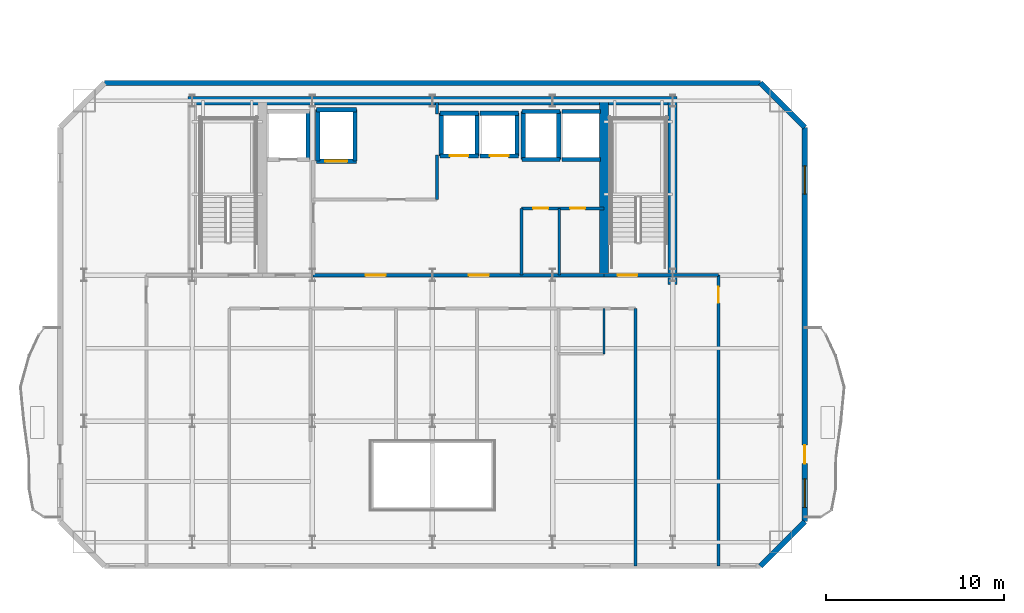
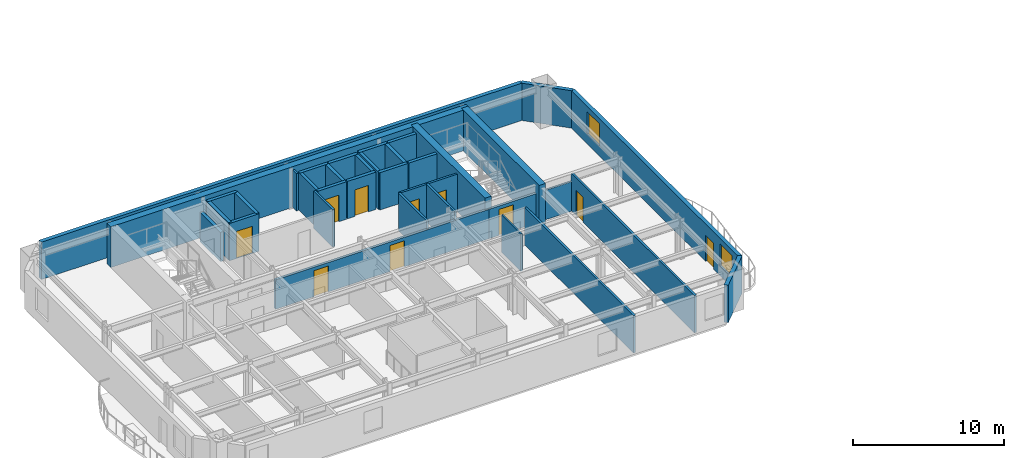
# One storey, part 6 of 13: 36 walls, 10 doors, 2 windows, 12 openings.
"""IFC4 building model written with IfcOpenShell, lengths in metres."""

from ifc_helpers import new_model, si_unit, direction, frame, frame_2d, origin, place, context, subcontext, project, spatial, rectangle, extrude, material, layer, layer_set, type_object, element, fill, save


model = new_model("IFC4")

# Units and contexts
model_context = context("Model", 3, precision=1e-05, world=origin(), true_north=direction((0.0, 1.0)))
body_context = subcontext(model_context, "Body", "Model", "MODEL_VIEW")
ifc_project = project(units=[si_unit("LENGTHUNIT", "METRE"), si_unit("AREAUNIT", "SQUARE_METRE"), si_unit("VOLUMEUNIT", "CUBIC_METRE"), si_unit("PLANEANGLEUNIT", "RADIAN"), si_unit("MASSUNIT", "GRAM", prefix="KILO")], contexts=[model_context])

# Site, building, storey
site_placement = place(None, origin())
site = spatial("IfcSite", under=ifc_project, at=site_placement, CompositionType="ELEMENT")
building_placement = place(site_placement, origin())
building = spatial("IfcBuilding", under=site, at=building_placement, Name="Haevon Station Towers", CompositionType="ELEMENT")
storey_placement = place(building_placement, frame((0.0, 0.0, 162.60009765625)))
storey = spatial("IfcBuildingStorey", under=building, at=storey_placement, Name="L44", CompositionType="ELEMENT", Elevation=162.60009765625)

# Wall, opening, door
ifc_material_1 = material(Name="Gypsum board on steel stud", Category="steel")
ifc_layer_1 = layer(ifc_material_1, 0.199951171875)
ifc_layer_set_1 = layer_set([ifc_layer_1], Name="Gypsum board on steel stud")
wall_type_1 = type_object("IfcWallType", Name="WL-COR200", PredefinedType="PARTITIONING", material=ifc_layer_set_1)
wall_1_placement = place(storey_placement, frame((47.14990234375, 38.199951171875, 0.0), z_axis=(0.0, 0.0, 1.0), x_axis=(1.0, 0.0, 0.0)))
wall_1 = element("IfcWall", 1, at=wall_1_placement, inside=storey, type_object=wall_type_1, Name="WL-ST-ST2-L44", PredefinedType="PARTITIONING", context=body_context, shape_type="SweptSolid", body=[
    extrude(rectangle(XDim=3.85009765625, YDim=0.199951171875, at=frame_2d((1.925048828125, 0.0))), origin(), (0.0, 0.0, 1.0), 2.3798828125),
])
opening_1_placement = place(wall_1_placement, frame((0.75, 0.0, 0.0)))
opening_1 = element("IfcOpeningElement", 2, at=opening_1_placement, cuts=wall_1, Name="Opening DR-ST-ST2-L44", PredefinedType="OPENING", context=body_context, shape_type="SweptSolid", body=[
    extrude(rectangle(XDim=1.1201171875, YDim=2.10009765625, at=frame_2d((0.56005859375, 1.050048828125))), frame((0.0, 0.10986328125, 0.0), z_axis=(0.0, -1.0, 0.0), x_axis=(1.0, 0.0, 0.0)), (0.0, 0.0, 1.0), 0.219970703125),
])
ifc_material_2 = material(Name="Engineered oak timber", Category="wood")
door_type_1 = type_object("IfcDoorType", Name="DR-ST-1120", OperationType="NOTDEFINED", PredefinedType="DOOR", material=ifc_material_2)
door_1_placement = place(opening_1_placement, origin())
door_1 = element("IfcDoor", 3, at=door_1_placement, inside=storey, type_object=door_type_1, Name="L44 Escape Stair ST2 Fire Door", OperationType="SINGLE_SWING_LEFT", OverallHeight=2.10009765625, OverallWidth=1.1201171875, PredefinedType="DOOR", context=body_context, shape_type="SweptSolid", body=[
    extrude(rectangle(XDim=1.1201171875, YDim=2.10009765625, at=frame_2d((0.56005859375, 1.050048828125))), frame((0.0, 0.02490234375, 0.0), z_axis=(0.0, -1.0, 0.0), x_axis=(1.0, 0.0, 0.0)), (0.0, 0.0, 1.0), 0.050048828125),
])
fill(opening_1, door_1)

# Wall, openings, doors
wall_2_placement = place(storey_placement, frame((30.800048828125, 38.199951171875, 0.0), z_axis=(0.0, 0.0, 1.0), x_axis=(1.0, 0.0, 0.0)))
wall_2 = element("IfcWall", 4, at=wall_2_placement, inside=storey, type_object=wall_type_1, Name="WL-T1CLB-L44", PredefinedType="PARTITIONING", context=body_context, shape_type="SweptSolid", body=[
    extrude(rectangle(XDim=16.349853515625, YDim=0.199951171875, at=frame_2d((8.1748046875, 0.0))), origin(), (0.0, 0.0, 1.0), 2.3798828125),
])
opening_2_placement = place(wall_2_placement, frame((2.949951171875, 0.0, 0.0)))
opening_2 = element("IfcOpeningElement", 5, at=opening_2_placement, cuts=wall_2, Name="Opening DR-T1CLB-L44-1", PredefinedType="OPENING", context=body_context, shape_type="SweptSolid", body=[
    extrude(rectangle(XDim=1.1201171875, YDim=2.10009765625, at=frame_2d((0.56005859375, 1.050048828125))), frame((0.0, 0.10986328125, 0.0), z_axis=(0.0, -1.0, 0.0), x_axis=(1.0, 0.0, 0.0)), (0.0, 0.0, 1.0), 0.219970703125),
])
opening_3_placement = place(wall_2_placement, frame((8.75, 0.0, 0.0)))
opening_3 = element("IfcOpeningElement", 6, at=opening_3_placement, cuts=wall_2, Name="Opening DR-T1CLB-L44-2", PredefinedType="OPENING", context=body_context, shape_type="SweptSolid", body=[
    extrude(rectangle(XDim=1.1201171875, YDim=2.10009765625, at=frame_2d((0.56005859375, 1.050048828125))), frame((0.0, 0.10986328125, 0.0), z_axis=(0.0, -1.0, 0.0), x_axis=(1.0, 0.0, 0.0)), (0.0, 0.0, 1.0), 0.219970703125),
])
door_2_placement = place(opening_2_placement, origin())
door_2 = element("IfcDoor", 7, at=door_2_placement, inside=storey, type_object=door_type_1, Name="L44 Tower 1 Core Lift Lobby Door 1", OperationType="SINGLE_SWING_RIGHT", OverallHeight=2.10009765625, OverallWidth=1.1201171875, PredefinedType="DOOR", context=body_context, shape_type="SweptSolid", body=[
    extrude(rectangle(XDim=1.1201171875, YDim=2.10009765625, at=frame_2d((0.56005859375, 1.050048828125))), frame((0.0, 0.02490234375, 0.0), z_axis=(0.0, -1.0, 0.0), x_axis=(1.0, 0.0, 0.0)), (0.0, 0.0, 1.0), 0.050048828125),
])
fill(opening_2, door_2)
door_3_placement = place(opening_3_placement, origin())
door_3 = element("IfcDoor", 8, at=door_3_placement, inside=storey, type_object=door_type_1, Name="L44 Tower 1 Core Lift Lobby Door 2", OperationType="SINGLE_SWING_LEFT", OverallHeight=2.10009765625, OverallWidth=1.1201171875, PredefinedType="DOOR", context=body_context, shape_type="SweptSolid", body=[
    extrude(rectangle(XDim=1.1201171875, YDim=2.10009765625, at=frame_2d((0.56005859375, 1.050048828125))), frame((0.0, 0.02490234375, 0.0), z_axis=(0.0, -1.0, 0.0), x_axis=(1.0, 0.0, 0.0)), (0.0, 0.0, 1.0), 0.050048828125),
])
fill(opening_3, door_3)

# Walls
ifc_material_3 = material(Name="Concrete C60/75", Category="concrete")
ifc_layer_2 = layer(ifc_material_3, 0.5)
ifc_layer_set_2 = layer_set([ifc_layer_2], Name="Concrete C60/75")
wall_type_2 = type_object("IfcWallType", Name="WL-CR500", PredefinedType="SHEAR", material=ifc_layer_set_2)
wall_3_placement = place(storey_placement, frame((23.75, 48.0, 0.0), z_axis=(0.0, 0.0, 1.0), x_axis=(1.0, 0.0, 0.0)))
element("IfcWall", 9, at=wall_3_placement, inside=storey, type_object=wall_type_2, Name="WL-T1CR-L44-N", PredefinedType="SHEAR", context=body_context, shape_type="SweptSolid", body=[
    extrude(rectangle(XDim=27.5, YDim=0.5, at=frame_2d((13.75, 0.0))), origin(), (0.0, 0.0, 1.0), 3.2998046875),
])
wall_4_placement = place(storey_placement, frame((51.0, 37.679931640625, 0.0), z_axis=(0.0, 0.0, 1.0), x_axis=(0.0, 1.0, 0.0)))
element("IfcWall", 10, at=wall_4_placement, inside=storey, type_object=wall_type_2, Name="WL-T1CR-L44-E", PredefinedType="SHEAR", context=body_context, shape_type="SweptSolid", body=[
    extrude(rectangle(XDim=10.320068359375, YDim=0.5, at=frame_2d((5.16015625, 0.0))), origin(), (0.0, 0.0, 1.0), 3.2998046875),
])
wall_5_placement = place(storey_placement, frame((47.14990234375, 38.199951171875, 0.0), z_axis=(0.0, 0.0, 1.0), x_axis=(0.0, 1.0, 0.0)))
element("IfcWall", 11, at=wall_5_placement, inside=storey, type_object=wall_type_2, Name="WL-T1CR-L44-M2", PredefinedType="SHEAR", context=body_context, shape_type="SweptSolid", body=[
    extrude(rectangle(XDim=9.800048828125, YDim=0.5, at=frame_2d((4.89990234375, 0.0))), origin(), (0.0, 0.0, 1.0), 3.2998046875),
])
ifc_material_4 = material(Name="Precast concrete C45/55", Category="concrete")
ifc_layer_3 = layer(ifc_material_4, 0.300048828125)
ifc_layer_set_3 = layer_set([ifc_layer_3], Name="Precast concrete C45/55")
wall_type_3 = type_object("IfcWallType", Name="WL-EXT-PIER300", PredefinedType="SOLIDWALL", material=ifc_layer_set_3)
wall_6_placement = place(storey_placement, frame((19.074951171875, 49.0, 0.0), z_axis=(0.0, 0.0, 1.0), x_axis=(1.0, 0.0, 0.0)))
element("IfcWall", 12, at=wall_6_placement, inside=storey, type_object=wall_type_3, Name="WL-T1-L44-N", PredefinedType="SOLIDWALL", context=body_context, shape_type="SweptSolid", body=[
    extrude(rectangle(XDim=36.85009765625, YDim=0.300048828125, at=frame_2d((18.425048828125, 0.0))), origin(), (0.0, 0.0, 1.0), 3.02978515625),
])
wall_7_placement = place(storey_placement, frame((55.925048828125, 49.0, 0.0), z_axis=(0.0, 0.0, 1.0), x_axis=(0.707106781187, -0.707106781187, 0.0)))
element("IfcWall", 13, at=wall_7_placement, inside=storey, type_object=wall_type_3, Name="WL-T1-L44-NEC", PredefinedType="SOLIDWALL", context=body_context, shape_type="SweptSolid", body=[
    extrude(rectangle(XDim=3.53564453125, YDim=0.300048828125, at=frame_2d((1.767822265625, 0.0))), origin(), (0.0, 0.0, 1.0), 3.02978515625),
])

# Wall, openings, door, windows
wall_8_placement = place(storey_placement, frame((58.425048828125, 46.5, 0.0), z_axis=(0.0, 0.0, 1.0), x_axis=(0.0, -1.0, 0.0)))
wall_8 = element("IfcWall", 14, at=wall_8_placement, inside=storey, type_object=wall_type_3, Name="WL-T1-L44-E", PredefinedType="SOLIDWALL", context=body_context, shape_type="SweptSolid", body=[
    extrude(rectangle(XDim=22.14990234375, YDim=0.300048828125, at=frame_2d((11.074951171875, 0.0))), origin(), (0.0, 0.0, 1.0), 3.02978515625),
])
opening_4_placement = place(wall_8_placement, frame((17.85009765625, 0.0, 0.0)))
opening_4 = element("IfcOpeningElement", 15, at=opening_4_placement, cuts=wall_8, Name="Opening DR-T1-SCAL-L44-E", PredefinedType="OPENING", context=body_context, shape_type="SweptSolid", body=[
    extrude(rectangle(XDim=1.050048828125, YDim=2.10009765625, at=frame_2d((0.52490234375, 1.050048828125))), frame((0.0, 0.159912109375, 0.0), z_axis=(0.0, -1.0, 0.0), x_axis=(1.0, 0.0, 0.0)), (0.0, 0.0, 1.0), 0.320068359375),
])
opening_5_placement = place(wall_8_placement, frame((2.153564453125, 0.0, 0.800048828125)))
opening_5 = element("IfcOpeningElement", 16, at=opening_5_placement, cuts=wall_8, Name="Opening WN-END160", PredefinedType="OPENING", context=body_context, shape_type="SweptSolid", body=[
    extrude(rectangle(XDim=1.60009765625, YDim=1.800048828125, at=frame_2d((0.800048828125, 0.89990234375))), frame((0.0, 0.159912109375, 0.0), z_axis=(0.0, -1.0, 0.0), x_axis=(1.0, 0.0, 0.0)), (0.0, 0.0, 1.0), 0.320068359375),
])
opening_6_placement = place(wall_8_placement, frame((19.75, 0.0, 0.800048828125)))
opening_6 = element("IfcOpeningElement", 17, at=opening_6_placement, cuts=wall_8, Name="Opening WN-END160", PredefinedType="OPENING", context=body_context, shape_type="SweptSolid", body=[
    extrude(rectangle(XDim=1.60009765625, YDim=1.800048828125, at=frame_2d((0.800048828125, 0.89990234375))), frame((0.0, 0.159912109375, 0.0), z_axis=(0.0, -1.0, 0.0), x_axis=(1.0, 0.0, 0.0)), (0.0, 0.0, 1.0), 0.320068359375),
])
ifc_material_5 = material(Name="Thermally broken anodised aluminium and laminated safety glass", Category="aluminium")
door_type_2 = type_object("IfcDoorType", Name="DR-BALC-1050", OperationType="NOTDEFINED", PredefinedType="DOOR", material=ifc_material_5)
door_4_placement = place(opening_4_placement, origin())
door_4 = element("IfcDoor", 18, at=door_4_placement, inside=storey, type_object=door_type_2, Name="Tower 1 L44 East Scalloped Balcony Door", OperationType="SINGLE_SWING_RIGHT", OverallHeight=2.10009765625, OverallWidth=1.050048828125, PredefinedType="DOOR", context=body_context, shape_type="SweptSolid", body=[
    extrude(rectangle(XDim=1.050048828125, YDim=2.10009765625, at=frame_2d((0.52490234375, 1.050048828125))), frame((0.0, 0.02490234375, 0.0), z_axis=(0.0, -1.0, 0.0), x_axis=(1.0, 0.0, 0.0)), (0.0, 0.0, 1.0), 0.050048828125),
])
fill(opening_4, door_4)
ifc_material_6 = material(Name="Low-E triple glazing in thermally broken aluminium", Category="aluminium")
window_type = type_object("IfcWindowType", Name="WN-END160", PartitioningType="SINGLE_PANEL", PredefinedType="WINDOW", material=ifc_material_6)
window_1_placement = place(opening_5_placement, origin())
window_1 = element("IfcWindow", 19, at=window_1_placement, inside=storey, type_object=window_type, Name="WN-T1-L44-E01", OverallHeight=1.800048828125, OverallWidth=1.60009765625, PartitioningType="SINGLE_PANEL", PredefinedType="WINDOW", context=body_context, shape_type="SweptSolid", body=[
    extrude(rectangle(XDim=1.60009765625, YDim=1.800048828125, at=frame_2d((0.800048828125, 0.89990234375))), frame((0.0, 0.030029296875, 0.0), z_axis=(0.0, -1.0, 0.0), x_axis=(1.0, 0.0, 0.0)), (0.0, 0.0, 1.0), 0.06005859375),
])
fill(opening_5, window_1)
window_2_placement = place(opening_6_placement, origin())
window_2 = element("IfcWindow", 20, at=window_2_placement, inside=storey, type_object=window_type, Name="WN-T1-L44-E02", OverallHeight=1.800048828125, OverallWidth=1.60009765625, PartitioningType="SINGLE_PANEL", PredefinedType="WINDOW", context=body_context, shape_type="SweptSolid", body=[
    extrude(rectangle(XDim=1.60009765625, YDim=1.800048828125, at=frame_2d((0.800048828125, 0.89990234375))), frame((0.0, 0.030029296875, 0.0), z_axis=(0.0, -1.0, 0.0), x_axis=(1.0, 0.0, 0.0)), (0.0, 0.0, 1.0), 0.06005859375),
])
fill(opening_6, window_2)

# Walls
wall_9_placement = place(storey_placement, frame((58.425048828125, 24.35009765625, 0.0), z_axis=(0.0, 0.0, 1.0), x_axis=(-0.707106781187, -0.707106781187, 0.0)))
element("IfcWall", 21, at=wall_9_placement, inside=storey, type_object=wall_type_3, Name="WL-T1-L44-SEC", PredefinedType="SOLIDWALL", context=body_context, shape_type="SweptSolid", body=[
    extrude(rectangle(XDim=3.53564453125, YDim=0.300048828125, at=frame_2d((1.767822265625, 0.0))), origin(), (0.0, 0.0, 1.0), 3.02978515625),
])
ifc_layer_4 = layer(ifc_material_1, 0.125)
ifc_layer_set_4 = layer_set([ifc_layer_4], Name="Gypsum board on steel stud")
wall_type_4 = type_object("IfcWallType", Name="WL-PRT125", PredefinedType="PARTITIONING", material=ifc_layer_set_4)
wall_10_placement = place(storey_placement, frame((47.139892578125, 33.77001953125, 0.0), z_axis=(0.0, 0.0, 1.0), x_axis=(0.0, 1.0, 0.0)))
element("IfcWall", 22, at=wall_10_placement, inside=storey, type_object=wall_type_4, Name="WL-T1PT-L44-19", PredefinedType="PARTITIONING", context=body_context, shape_type="SweptSolid", body=[
    extrude(rectangle(XDim=2.550048828125, YDim=0.125, at=frame_2d((1.27490234375, 0.0))), origin(), (0.0, 0.0, 1.0), 3.02978515625),
])
ifc_layer_5 = layer(ifc_material_1, 0.159912109375)
ifc_layer_set_5 = layer_set([ifc_layer_5], Name="Gypsum board on steel stud")
wall_type_5 = type_object("IfcWallType", Name="WL-PRT160", PredefinedType="PARTITIONING", material=ifc_layer_set_5)
wall_11_placement = place(storey_placement, frame((37.75, 42.449951171875, 0.0), z_axis=(0.0, 0.0, 1.0), x_axis=(0.0, 1.0, 0.0)))
element("IfcWall", 23, at=wall_11_placement, inside=storey, type_object=wall_type_5, Name="WL-T1CW-L44-02", PredefinedType="PARTITIONING", context=body_context, shape_type="SweptSolid", body=[
    extrude(rectangle(XDim=2.5, YDim=0.159912109375, at=frame_2d((1.25, 0.0))), origin(), (0.0, 0.0, 1.0), 3.02978515625),
])
wall_12_placement = place(storey_placement, frame((37.75, 47.25, 0.0), z_axis=(0.0, 0.0, 1.0), x_axis=(0.0, 1.0, 0.0)))
element("IfcWall", 24, at=wall_12_placement, inside=storey, type_object=wall_type_5, Name="WL-T1CW-L44-03", PredefinedType="PARTITIONING", context=body_context, shape_type="SweptSolid", body=[
    extrude(rectangle(XDim=0.64990234375, YDim=0.159912109375, at=frame_2d((0.324951171875, 0.0))), origin(), (0.0, 0.0, 1.0), 3.02978515625),
])
for number, where, z_axis, x_axis, name in (
    (25, (42.5, 38.199951171875, 0.0), (0.0, 0.0, 1.0), (0.0, 1.0, 0.0), "WL-T1CW-L44-04"),
    (26, (44.6298828125, 38.199951171875, 0.0), (0.0, 0.0, 1.0), (0.0, 1.0, 0.0), "WL-T1CW-L44-05"),
):
    element("IfcWall", number, at=place(storey_placement, frame(where, z_axis=z_axis, x_axis=x_axis)), inside=storey, type_object=wall_type_5, Name=name, PredefinedType="PARTITIONING", context=body_context, shape_type="SweptSolid", body=[
        extrude(rectangle(XDim=3.75, YDim=0.159912109375, at=frame_2d((1.875, 0.0))), origin(), (0.0, 0.0, 1.0), 3.02978515625),
    ])

# Wall, openings, doors
wall_13_placement = place(storey_placement, frame((42.5, 41.949951171875, 0.0), z_axis=(0.0, 0.0, 1.0), x_axis=(1.0, 0.0, 0.0)))
wall_13 = element("IfcWall", 27, at=wall_13_placement, inside=storey, type_object=wall_type_5, Name="WL-T1CW-L44-06", PredefinedType="PARTITIONING", context=body_context, shape_type="SweptSolid", body=[
    extrude(rectangle(XDim=4.64990234375, YDim=0.159912109375, at=frame_2d((2.324951171875, 0.0))), origin(), (0.0, 0.0, 1.0), 3.02978515625),
])
opening_7_placement = place(wall_13_placement, frame((0.659912109375, 0.0, 0.0)))
opening_7 = element("IfcOpeningElement", 28, at=opening_7_placement, cuts=wall_13, Name="Opening DR-WL-T1CW-L44-06-1", PredefinedType="OPENING", context=body_context, shape_type="SweptSolid", body=[
    extrude(rectangle(XDim=0.85009765625, YDim=2.050048828125, at=frame_2d((0.425048828125, 1.02490234375))), frame((0.0, 0.08984375, 0.0), z_axis=(0.0, -1.0, 0.0), x_axis=(1.0, 0.0, 0.0)), (0.0, 0.0, 1.0), 0.179931640625),
])
opening_8_placement = place(wall_13_placement, frame((2.72998046875, 0.0, 0.0)))
opening_8 = element("IfcOpeningElement", 29, at=opening_8_placement, cuts=wall_13, Name="Opening DR-WL-T1CW-L44-06-2", PredefinedType="OPENING", context=body_context, shape_type="SweptSolid", body=[
    extrude(rectangle(XDim=0.85009765625, YDim=2.050048828125, at=frame_2d((0.425048828125, 1.02490234375))), frame((0.0, 0.08984375, 0.0), z_axis=(0.0, -1.0, 0.0), x_axis=(1.0, 0.0, 0.0)), (0.0, 0.0, 1.0), 0.179931640625),
])
door_type_3 = type_object("IfcDoorType", Name="DR-FD30-850", OperationType="NOTDEFINED", PredefinedType="DOOR", material=ifc_material_2)
door_5_placement = place(opening_7_placement, origin())
door_5 = element("IfcDoor", 30, at=door_5_placement, inside=storey, type_object=door_type_3, Name="L44 Tower 1 Core Room Door 6-1", OperationType="SINGLE_SWING_RIGHT", OverallHeight=2.050048828125, OverallWidth=0.85009765625, PredefinedType="DOOR", context=body_context, shape_type="SweptSolid", body=[
    extrude(rectangle(XDim=0.85009765625, YDim=2.050048828125, at=frame_2d((0.425048828125, 1.02490234375))), frame((0.0, 0.02490234375, 0.0), z_axis=(0.0, -1.0, 0.0), x_axis=(1.0, 0.0, 0.0)), (0.0, 0.0, 1.0), 0.050048828125),
])
fill(opening_7, door_5)
door_6_placement = place(opening_8_placement, origin())
door_6 = element("IfcDoor", 31, at=door_6_placement, inside=storey, type_object=door_type_3, Name="L44 Tower 1 Core Room Door 6-2", OperationType="SINGLE_SWING_LEFT", OverallHeight=2.050048828125, OverallWidth=0.85009765625, PredefinedType="DOOR", context=body_context, shape_type="SweptSolid", body=[
    extrude(rectangle(XDim=0.85009765625, YDim=2.050048828125, at=frame_2d((0.425048828125, 1.02490234375))), frame((0.0, 0.02490234375, 0.0), z_axis=(0.0, -1.0, 0.0), x_axis=(1.0, 0.0, 0.0)), (0.0, 0.0, 1.0), 0.050048828125),
])
fill(opening_8, door_6)

# Walls
wall_14_placement = place(storey_placement, frame((48.919921875, 21.85009765625, 0.0), z_axis=(0.0, 0.0, 1.0), x_axis=(0.0, 1.0, 0.0)))
element("IfcWall", 32, at=wall_14_placement, inside=storey, type_object=wall_type_5, Name="WL-T1PT-L44-02", PredefinedType="PARTITIONING", context=body_context, shape_type="SweptSolid", body=[
    extrude(rectangle(XDim=14.469970703125, YDim=0.159912109375, at=frame_2d((7.23486328125, 0.0))), origin(), (0.0, 0.0, 1.0), 3.02978515625),
])
wall_15_placement = place(storey_placement, frame((51.0, 38.199951171875, 0.0), z_axis=(0.0, 0.0, 1.0), x_axis=(1.0, 0.0, 0.0)))
element("IfcWall", 33, at=wall_15_placement, inside=storey, type_object=wall_type_5, Name="WL-T1PT-L44-04", PredefinedType="PARTITIONING", context=body_context, shape_type="SweptSolid", body=[
    extrude(rectangle(XDim=2.574951171875, YDim=0.159912109375, at=frame_2d((1.28759765625, 0.0))), origin(), (0.0, 0.0, 1.0), 2.3798828125),
])

# Wall, opening, door
wall_16_placement = place(storey_placement, frame((53.574951171875, 21.85009765625, 0.0), z_axis=(0.0, 0.0, 1.0), x_axis=(0.0, 1.0, 0.0)))
wall_16 = element("IfcWall", 34, at=wall_16_placement, inside=storey, type_object=wall_type_5, Name="WL-T1PT-L44-06", PredefinedType="PARTITIONING", context=body_context, shape_type="SweptSolid", body=[
    extrude(rectangle(XDim=16.349853515625, YDim=0.159912109375, at=frame_2d((8.1748046875, 0.0))), origin(), (0.0, 0.0, 1.0), 3.02978515625),
])
opening_9_placement = place(wall_16_placement, frame((14.7900390625, 0.0, 0.0)))
opening_9 = element("IfcOpeningElement", 35, at=opening_9_placement, cuts=wall_16, Name="Opening DR-WL-T1PT-L44-06-01", PredefinedType="OPENING", context=body_context, shape_type="SweptSolid", body=[
    extrude(rectangle(XDim=0.89990234375, YDim=2.050048828125, at=frame_2d((0.449951171875, 1.02490234375))), frame((0.0, 0.08984375, 0.0), z_axis=(0.0, -1.0, 0.0), x_axis=(1.0, 0.0, 0.0)), (0.0, 0.0, 1.0), 0.179931640625),
])
door_type_4 = type_object("IfcDoorType", Name="DR-INT-900", OperationType="NOTDEFINED", PredefinedType="DOOR", material=ifc_material_2)
door_7_placement = place(opening_9_placement, origin())
door_7 = element("IfcDoor", 36, at=door_7_placement, inside=storey, type_object=door_type_4, Name="L44 Tower 1 Room Door 6-1", OperationType="SINGLE_SWING_LEFT", OverallHeight=2.050048828125, OverallWidth=0.89990234375, PredefinedType="DOOR", context=body_context, shape_type="SweptSolid", body=[
    extrude(rectangle(XDim=0.89990234375, YDim=2.050048828125, at=frame_2d((0.449951171875, 1.02490234375))), frame((0.0, 0.02490234375, 0.0), z_axis=(0.0, -1.0, 0.0), x_axis=(1.0, 0.0, 0.0)), (0.0, 0.0, 1.0), 0.050048828125),
])
fill(opening_9, door_7)

# Wall
ifc_material_7 = material(Name="Concrete C40/50", Category="concrete")
ifc_layer_6 = layer(ifc_material_7, 0.239990234375)
ifc_layer_set_6 = layer_set([ifc_layer_6], Name="Concrete C40/50")
wall_type_6 = type_object("IfcWallType", Name="WL-SHF240", PredefinedType="PARTITIONING", material=ifc_layer_set_6)
wall_17_placement = place(storey_placement, frame((30.5, 44.699951171875, 0.0), z_axis=(0.0, 0.0, 1.0), x_axis=(0.0, 1.0, 0.0)))
element("IfcWall", 37, at=wall_17_placement, inside=storey, type_object=wall_type_6, Name="WL-SHF-FL1-L44-E", PredefinedType="PARTITIONING", context=body_context, shape_type="SweptSolid", body=[
    extrude(rectangle(XDim=2.699951171875, YDim=0.239990234375, at=frame_2d((1.35009765625, 0.0))), origin(), (0.0, 0.0, 1.0), 2.3798828125),
])

# Wall, opening, door
wall_18_placement = place(storey_placement, frame((30.969970703125, 44.60009765625, 0.0), z_axis=(0.0, 0.0, 1.0), x_axis=(1.0, 0.0, 0.0)))
wall_18 = element("IfcWall", 38, at=wall_18_placement, inside=storey, type_object=wall_type_6, Name="WL-SHF-SL1-L44", PredefinedType="PARTITIONING", context=body_context, shape_type="SweptSolid", body=[
    extrude(rectangle(XDim=2.260009765625, YDim=0.239990234375, at=frame_2d((1.1298828125, 0.0))), origin(), (0.0, 0.0, 1.0), 3.02978515625),
])
opening_10_placement = place(wall_18_placement, frame((0.5048828125, 0.0, 0.0)))
opening_10 = element("IfcOpeningElement", 39, at=opening_10_placement, cuts=wall_18, Name="Opening LD-SL1-L44", PredefinedType="OPENING", context=body_context, shape_type="SweptSolid", body=[
    extrude(rectangle(XDim=1.25, YDim=2.199951171875, at=frame_2d((0.625, 1.10009765625))), frame((0.0, 0.1298828125, 0.0), z_axis=(0.0, -1.0, 0.0), x_axis=(1.0, 0.0, 0.0)), (0.0, 0.0, 1.0), 0.260009765625),
])
ifc_material_8 = material(Name="Stainless steel and rated core", Category="steel")
door_type_5 = type_object("IfcDoorType", Name="LD-SL1250", OperationType="SLIDING_TO_LEFT", PredefinedType="DOOR", material=ifc_material_8)
door_8_placement = place(opening_10_placement, origin())
door_8 = element("IfcDoor", 40, at=door_8_placement, inside=storey, type_object=door_type_5, Name="L44 Lift SL1 Sliding Landing Door", OperationType="SLIDING_TO_LEFT", OverallHeight=2.199951171875, OverallWidth=1.25, PredefinedType="DOOR", context=body_context, shape_type="SweptSolid", body=[
    extrude(rectangle(XDim=1.25, YDim=2.199951171875, at=frame_2d((0.625, 1.10009765625))), frame((0.0, 0.02490234375, 0.0), z_axis=(0.0, -1.0, 0.0), x_axis=(1.0, 0.0, 0.0)), (0.0, 0.0, 1.0), 0.050048828125),
])
fill(opening_10, door_8)

# Walls
wall_19_placement = place(storey_placement, frame((30.969970703125, 47.5, 0.0), z_axis=(0.0, 0.0, 1.0), x_axis=(1.0, 0.0, 0.0)))
element("IfcWall", 41, at=wall_19_placement, inside=storey, type_object=wall_type_6, Name="WL-SHF-SL1-L44-N", PredefinedType="PARTITIONING", context=body_context, shape_type="SweptSolid", body=[
    extrude(rectangle(XDim=2.260009765625, YDim=0.239990234375, at=frame_2d((1.1298828125, 0.0))), origin(), (0.0, 0.0, 1.0), 3.02978515625),
])
for number, where, z_axis, x_axis, name in (
    (42, (31.050048828125, 44.60009765625, 0.0), (0.0, 0.0, 1.0), (0.0, 1.0, 0.0), "WL-SHF-SL1-L44-W"),
    (43, (33.14990234375, 44.60009765625, 0.0), (0.0, 0.0, 1.0), (0.0, 1.0, 0.0), "WL-SHF-SL1-L44-E"),
):
    element("IfcWall", number, at=place(storey_placement, frame(where, z_axis=z_axis, x_axis=x_axis)), inside=storey, type_object=wall_type_6, Name=name, PredefinedType="PARTITIONING", context=body_context, shape_type="SweptSolid", body=[
        extrude(rectangle(XDim=2.89990234375, YDim=0.239990234375, at=frame_2d((1.449951171875, 0.0))), origin(), (0.0, 0.0, 1.0), 3.02978515625),
    ])

# Wall, opening, door
wall_20_placement = place(storey_placement, frame((37.919921875, 44.89990234375, 0.0), z_axis=(0.0, 0.0, 1.0), x_axis=(1.0, 0.0, 0.0)))
wall_20 = element("IfcWall", 44, at=wall_20_placement, inside=storey, type_object=wall_type_6, Name="WL-SHF-PL3-L44", PredefinedType="PARTITIONING", context=body_context, shape_type="SweptSolid", body=[
    extrude(rectangle(XDim=2.16015625, YDim=0.239990234375, at=frame_2d((1.080078125, 0.0))), origin(), (0.0, 0.0, 1.0), 3.02978515625),
])
opening_11_placement = place(wall_20_placement, frame((0.554931640625, 0.0, 0.0)))
opening_11 = element("IfcOpeningElement", 45, at=opening_11_placement, cuts=wall_20, Name="Opening LD-PL3-L44", PredefinedType="OPENING", context=body_context, shape_type="SweptSolid", body=[
    extrude(rectangle(XDim=1.050048828125, YDim=2.14990234375, at=frame_2d((0.52490234375, 1.074951171875))), frame((0.0, 0.1298828125, 0.0), z_axis=(0.0, -1.0, 0.0), x_axis=(1.0, 0.0, 0.0)), (0.0, 0.0, 1.0), 0.260009765625),
])
door_type_6 = type_object("IfcDoorType", Name="LD-PL1050", OperationType="SLIDING_TO_LEFT", PredefinedType="DOOR", material=ifc_material_8)
door_9_placement = place(opening_11_placement, origin())
door_9 = element("IfcDoor", 46, at=door_9_placement, inside=storey, type_object=door_type_6, Name="L44 Lift PL3 Sliding Landing Door", OperationType="SLIDING_TO_LEFT", OverallHeight=2.14990234375, OverallWidth=1.050048828125, PredefinedType="DOOR", context=body_context, shape_type="SweptSolid", body=[
    extrude(rectangle(XDim=1.050048828125, YDim=2.14990234375, at=frame_2d((0.52490234375, 1.074951171875))), frame((0.0, 0.02490234375, 0.0), z_axis=(0.0, -1.0, 0.0), x_axis=(1.0, 0.0, 0.0)), (0.0, 0.0, 1.0), 0.050048828125),
])
fill(opening_11, door_9)

# Walls
wall_21_placement = place(storey_placement, frame((37.919921875, 47.300048828125, 0.0), z_axis=(0.0, 0.0, 1.0), x_axis=(1.0, 0.0, 0.0)))
element("IfcWall", 47, at=wall_21_placement, inside=storey, type_object=wall_type_6, Name="WL-SHF-PL3-L44-N", PredefinedType="PARTITIONING", context=body_context, shape_type="SweptSolid", body=[
    extrude(rectangle(XDim=2.16015625, YDim=0.239990234375, at=frame_2d((1.080078125, 0.0))), origin(), (0.0, 0.0, 1.0), 3.02978515625),
])
for number, where, z_axis, x_axis, name in (
    (48, (38.0, 44.89990234375, 0.0), (0.0, 0.0, 1.0), (0.0, 1.0, 0.0), "WL-SHF-PL3-L44-W"),
    (49, (40.0, 44.89990234375, 0.0), (0.0, 0.0, 1.0), (0.0, 1.0, 0.0), "WL-SHF-PL3-L44-E"),
):
    element("IfcWall", number, at=place(storey_placement, frame(where, z_axis=z_axis, x_axis=x_axis)), inside=storey, type_object=wall_type_6, Name=name, PredefinedType="PARTITIONING", context=body_context, shape_type="SweptSolid", body=[
        extrude(rectangle(XDim=2.400146484375, YDim=0.239990234375, at=frame_2d((1.2001953125, 0.0))), origin(), (0.0, 0.0, 1.0), 3.02978515625),
    ])

# Wall, opening, door
wall_22_placement = place(storey_placement, frame((40.169921875, 44.89990234375, 0.0), z_axis=(0.0, 0.0, 1.0), x_axis=(1.0, 0.0, 0.0)))
wall_22 = element("IfcWall", 50, at=wall_22_placement, inside=storey, type_object=wall_type_6, Name="WL-SHF-PL4-L44", PredefinedType="PARTITIONING", context=body_context, shape_type="SweptSolid", body=[
    extrude(rectangle(XDim=2.16015625, YDim=0.239990234375, at=frame_2d((1.080078125, 0.0))), origin(), (0.0, 0.0, 1.0), 3.02978515625),
])
opening_12_placement = place(wall_22_placement, frame((0.554931640625, 0.0, 0.0)))
opening_12 = element("IfcOpeningElement", 51, at=opening_12_placement, cuts=wall_22, Name="Opening LD-PL4-L44", PredefinedType="OPENING", context=body_context, shape_type="SweptSolid", body=[
    extrude(rectangle(XDim=1.050048828125, YDim=2.14990234375, at=frame_2d((0.52490234375, 1.074951171875))), frame((0.0, 0.1298828125, 0.0), z_axis=(0.0, -1.0, 0.0), x_axis=(1.0, 0.0, 0.0)), (0.0, 0.0, 1.0), 0.260009765625),
])
door_10_placement = place(opening_12_placement, origin())
door_10 = element("IfcDoor", 52, at=door_10_placement, inside=storey, type_object=door_type_6, Name="L44 Lift PL4 Sliding Landing Door", OperationType="SLIDING_TO_LEFT", OverallHeight=2.14990234375, OverallWidth=1.050048828125, PredefinedType="DOOR", context=body_context, shape_type="SweptSolid", body=[
    extrude(rectangle(XDim=1.050048828125, YDim=2.14990234375, at=frame_2d((0.52490234375, 1.074951171875))), frame((0.0, 0.02490234375, 0.0), z_axis=(0.0, -1.0, 0.0), x_axis=(1.0, 0.0, 0.0)), (0.0, 0.0, 1.0), 0.050048828125),
])
fill(opening_12, door_10)

# Walls
wall_23_placement = place(storey_placement, frame((40.169921875, 47.300048828125, 0.0), z_axis=(0.0, 0.0, 1.0), x_axis=(1.0, 0.0, 0.0)))
element("IfcWall", 53, at=wall_23_placement, inside=storey, type_object=wall_type_6, Name="WL-SHF-PL4-L44-N", PredefinedType="PARTITIONING", context=body_context, shape_type="SweptSolid", body=[
    extrude(rectangle(XDim=2.16015625, YDim=0.239990234375, at=frame_2d((1.080078125, 0.0))), origin(), (0.0, 0.0, 1.0), 3.02978515625),
])
wall_24_placement = place(storey_placement, frame((42.25, 44.89990234375, 0.0), z_axis=(0.0, 0.0, 1.0), x_axis=(0.0, 1.0, 0.0)))
element("IfcWall", 54, at=wall_24_placement, inside=storey, type_object=wall_type_6, Name="WL-SHF-PL4-L44-E", PredefinedType="PARTITIONING", context=body_context, shape_type="SweptSolid", body=[
    extrude(rectangle(XDim=2.400146484375, YDim=0.239990234375, at=frame_2d((1.2001953125, 0.0))), origin(), (0.0, 0.0, 1.0), 3.02978515625),
])
for number, where, z_axis, x_axis, name in (
    (55, (42.52001953125, 44.699951171875, 0.0), (0.0, 0.0, 1.0), (1.0, 0.0, 0.0), "WL-SHF-PL5-L44"),
    (56, (42.52001953125, 47.39990234375, 0.0), (0.0, 0.0, 1.0), (1.0, 0.0, 0.0), "WL-SHF-PL5-L44-N"),
):
    element("IfcWall", number, at=place(storey_placement, frame(where, z_axis=z_axis, x_axis=x_axis)), inside=storey, type_object=wall_type_6, Name=name, PredefinedType="PARTITIONING", context=body_context, shape_type="SweptSolid", body=[
        extrude(rectangle(XDim=2.159912109375, YDim=0.239990234375, at=frame_2d((1.080078125, 0.0))), origin(), (0.0, 0.0, 1.0), 3.02978515625),
    ])
for number, where, z_axis, x_axis, name in (
    (57, (42.60009765625, 44.699951171875, 0.0), (0.0, 0.0, 1.0), (0.0, 1.0, 0.0), "WL-SHF-PL5-L44-W"),
    (58, (44.60009765625, 44.699951171875, 0.0), (0.0, 0.0, 1.0), (0.0, 1.0, 0.0), "WL-SHF-PL5-L44-E"),
):
    element("IfcWall", number, at=place(storey_placement, frame(where, z_axis=z_axis, x_axis=x_axis)), inside=storey, type_object=wall_type_6, Name=name, PredefinedType="PARTITIONING", context=body_context, shape_type="SweptSolid", body=[
        extrude(rectangle(XDim=2.699951171875, YDim=0.239990234375, at=frame_2d((1.35009765625, 0.0))), origin(), (0.0, 0.0, 1.0), 3.02978515625),
    ])
for number, where, z_axis, x_axis, name in (
    (59, (44.77001953125, 44.699951171875, 0.0), (0.0, 0.0, 1.0), (1.0, 0.0, 0.0), "WL-SHF-PL6-L44"),
    (60, (44.77001953125, 47.39990234375, 0.0), (0.0, 0.0, 1.0), (1.0, 0.0, 0.0), "WL-SHF-PL6-L44-N"),
):
    element("IfcWall", number, at=place(storey_placement, frame(where, z_axis=z_axis, x_axis=x_axis)), inside=storey, type_object=wall_type_6, Name=name, PredefinedType="PARTITIONING", context=body_context, shape_type="SweptSolid", body=[
        extrude(rectangle(XDim=2.159912109375, YDim=0.239990234375, at=frame_2d((1.080078125, 0.0))), origin(), (0.0, 0.0, 1.0), 3.02978515625),
    ])

save(model, "model.ifc")
